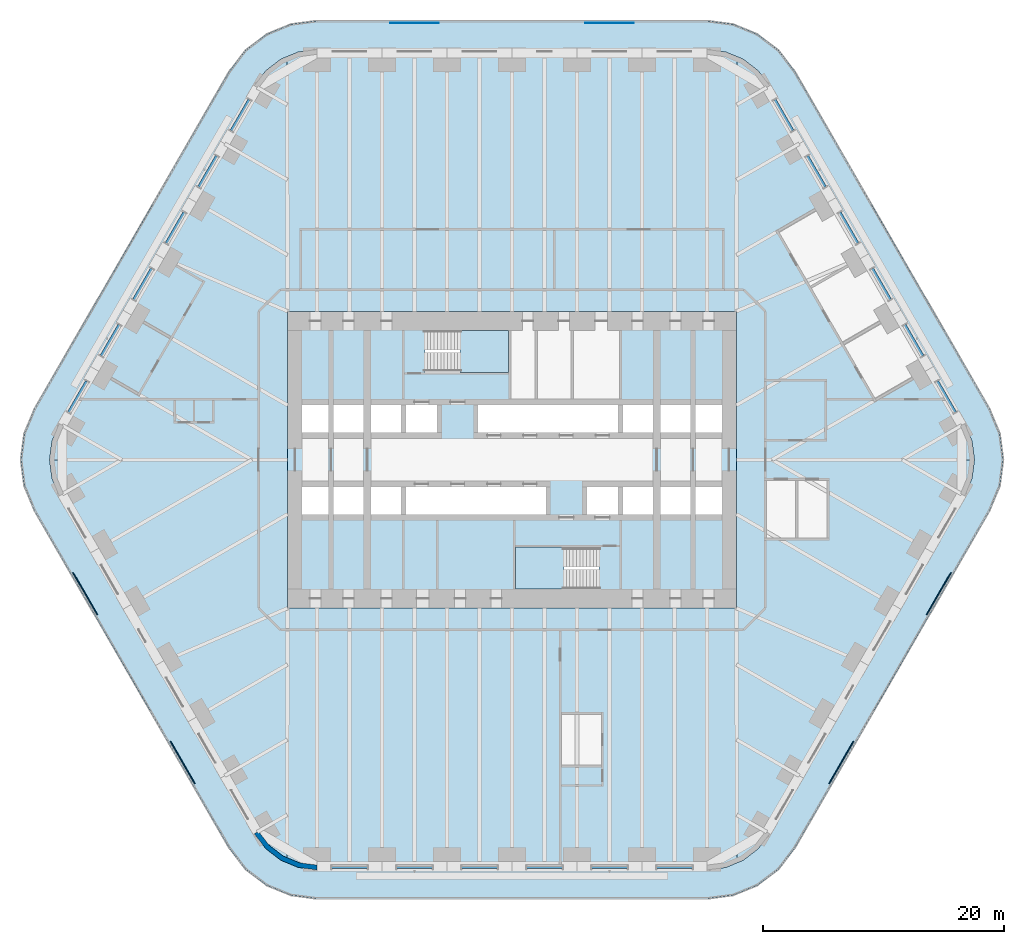
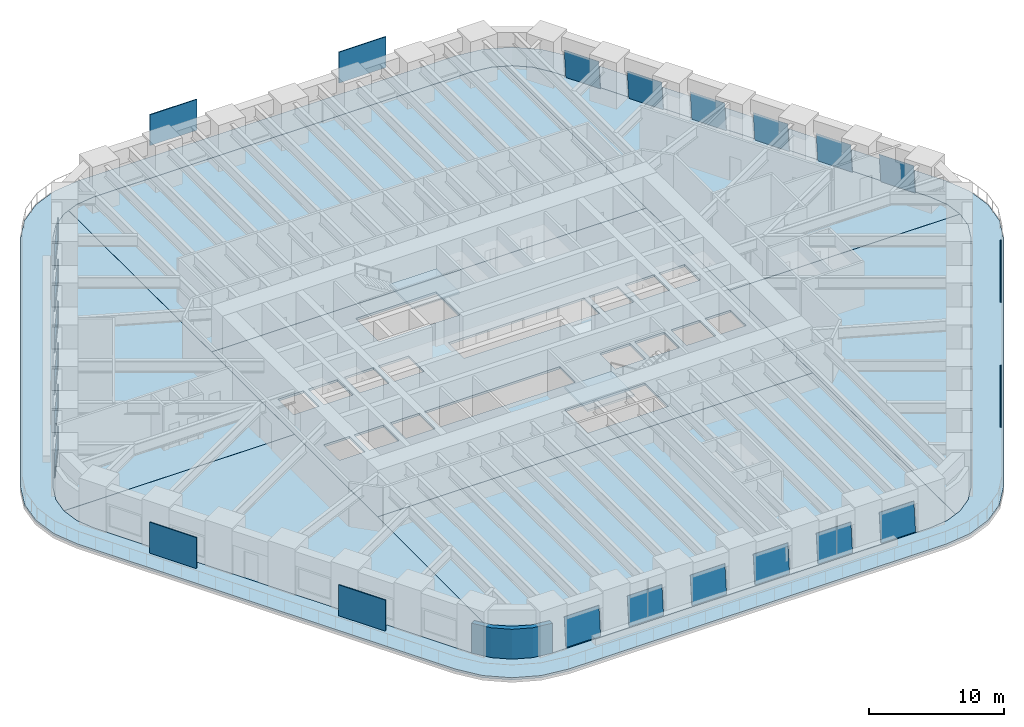
# One storey, part 15 of 23: 24 plates, 10 slabs, 1 wall, 20 elements without a shape of their own.
"""IFC4 building model written with IfcOpenShell, lengths in metres."""

from ifc_helpers import new_model, si_unit, direction, frame, origin, origin_2d, place, context, subcontext, project, spatial, polyline, rectangle, outline, extrude, material, layer, layer_set, type_object, element, aggregate, save


model = new_model("IFC4")

# Units and contexts
model_context = context("Model", 3, precision=1e-05, world=origin(), true_north=direction((0.0, 1.0)))
body_context = subcontext(model_context, "Body", "Model", "MODEL_VIEW")
ifc_project = project(units=[si_unit("LENGTHUNIT", "METRE"), si_unit("AREAUNIT", "SQUARE_METRE"), si_unit("VOLUMEUNIT", "CUBIC_METRE"), si_unit("PLANEANGLEUNIT", "RADIAN"), si_unit("MASSUNIT", "GRAM", prefix="KILO")], contexts=[model_context])

# Site, building, storey
site_placement = place(None, origin())
site = spatial("IfcSite", under=ifc_project, at=site_placement, CompositionType="ELEMENT")
building_placement = place(site_placement, origin())
building = spatial("IfcBuilding", under=site, at=building_placement, Name="Tarfa Lantern Tower", CompositionType="ELEMENT")
storey_placement = place(building_placement, frame((0.0, 0.0, 40.300048828125)))
storey = spatial("IfcBuildingStorey", under=building, at=storey_placement, Name="L08", CompositionType="ELEMENT", Elevation=40.300048828125)

# Slab
ifc_material_1 = material(Name="Concrete C40/50", Category="concrete")
ifc_layer_1 = layer(ifc_material_1, 0.199951171875)
ifc_layer_set_1 = layer_set([ifc_layer_1], Name="BS2 BALCONY SLAB 200")
slab_type_1 = type_object("IfcSlabType", Name="BS2 BALCONY SLAB 200", PredefinedType="FLOOR", material=ifc_layer_set_1)
slab_1_placement = place(storey_placement, frame((0.0, 0.0, -0.199951171875)))
element("IfcSlab", 1, at=slab_1_placement, inside=storey, type_object=slab_type_1, Name="Balcony L08", PredefinedType="FLOOR", context=body_context, shape_type="SweptSolid", body=[
    extrude(outline(polyline([(39.606201171875, 4.199951171875), (23.4404296875, 32.199951171875), (22.10546875, 33.939697265625), (20.36572265625, 35.274658203125), (18.33984375, 36.11376953125), (16.165771484375, 36.39990234375), (-16.165771484375, 36.39990234375), (-18.33984375, 36.11376953125), (-20.36572265625, 35.274658203125), (-22.10546875, 33.939697265625), (-23.4404296875, 32.199951171875), (-39.606201171875, 4.199951171875), (-40.4453125, 2.174072265625), (-40.731689453125, 0.0), (-40.4453125, -2.174072265625), (-39.606201171875, -4.199951171875), (-23.4404296875, -32.199951171875), (-22.10546875, -33.939697265625), (-20.36572265625, -35.274658203125), (-18.33984375, -36.11376953125), (-16.165771484375, -36.39990234375), (16.165771484375, -36.39990234375), (18.33984375, -36.11376953125), (20.36572265625, -35.274658203125), (22.10546875, -33.939697265625), (23.4404296875, -32.199951171875), (39.606201171875, -4.199951171875), (40.4453125, -2.174072265625), (40.731689453125, 0.0), (40.4453125, 2.174072265625), (39.606201171875, 4.199951171875)]), holes=[polyline([(37.52783203125, 3.0), (21.362060546875, 31.0), (20.408447265625, 32.24267578125), (19.165771484375, 33.196044921875), (17.71875, 33.795654296875), (16.165771484375, 34.0), (-16.165771484375, 34.0), (-17.71875, 33.795654296875), (-19.165771484375, 33.196044921875), (-20.408447265625, 32.24267578125), (-21.362060546875, 31.0), (-37.52783203125, 3.0), (-38.127197265625, 1.552978515625), (-38.33154296875, 0.0), (-38.127197265625, -1.552978515625), (-37.52783203125, -3.0), (-21.362060546875, -31.0), (-20.408447265625, -32.24267578125), (-19.165771484375, -33.196044921875), (-17.71875, -33.795654296875), (-16.165771484375, -34.0), (16.165771484375, -34.0), (17.71875, -33.795654296875), (19.165771484375, -33.196044921875), (20.408447265625, -32.24267578125), (21.362060546875, -31.0), (37.52783203125, -3.0), (38.127197265625, -1.552978515625), (38.33154296875, 0.0), (38.127197265625, 1.552978515625), (37.52783203125, 3.0)])]), origin(), (0.0, 0.0, 1.0), 0.199951171875),
])

# Curtain wall, plate
ifc_material_2 = material(Name="Aluminium framed curtain wall", Category="aluminium")
curtain_wall_type = type_object("IfcCurtainWallType", Name="CW1 CANTED GLAZING LOW ZONE 2700", PredefinedType="USERDEFINED", material=ifc_material_2)
curtain_wall_1_placement = place(storey_placement, origin())
curtain_wall_1 = element("IfcCurtainWall", 2, at=curtain_wall_1_placement, inside=storey, type_object=curtain_wall_type, Name="CW1 NE L08", ObjectType="CURTAIN WALL", PredefinedType="USERDEFINED")
ifc_material_3 = material(Name="Laminated double glazing", Category="glass")
ifc_layer_2 = layer(ifc_material_3, 0.028076171875)
ifc_layer_set_2 = layer_set([ifc_layer_2], Name="CWP1 DOUBLE GLAZED PANEL")
plate_type_1 = type_object("IfcPlateType", Name="CWP1 DOUBLE GLAZED PANEL", PredefinedType="CURTAIN_PANEL", material=ifc_layer_set_2)
plate_1_placement = place(storey_placement, frame((36.833740234375, 4.002197265625, 0.0), z_axis=(0.862327869115, 0.497882393798, 0.092215877663), x_axis=(-0.500013192991, 0.866017786667, 3.280829e-06)))
plate_1 = element("IfcPlate", 3, at=plate_1_placement, type_object=plate_type_1, Name="CW1 panel 1.1", PredefinedType="CURTAIN_PANEL", context=body_context, shape_type="SweptSolid", body=[
    extrude(outline(polyline([(0.0, 0.0), (2.9587247608884493, 1.3877787807814457e-17), (2.9586119504863087, 2.6462757391593192), (9.26313130443569e-06, 2.6462952359749448), (0.0, 0.0)])), origin(), (0.0, 0.0, -1.0), 0.028076171875),
])
aggregate(curtain_wall_1, [plate_1])

curtain_wall_2_placement = place(storey_placement, origin())
curtain_wall_2 = element("IfcCurtainWall", 4, at=curtain_wall_2_placement, inside=storey, type_object=curtain_wall_type, Name="CW1 NE L08", ObjectType="CURTAIN WALL", PredefinedType="USERDEFINED")
plate_2_placement = place(storey_placement, frame((34.139404296875, 8.6689453125, 0.0), z_axis=(0.862342481163, 0.497849746867, 0.09225548616), x_axis=(-0.499981985492, 0.866035804215, 0.0)))
plate_2 = element("IfcPlate", 5, at=plate_2_placement, type_object=plate_type_1, Name="CW1 panel 1.1", PredefinedType="CURTAIN_PANEL", context=body_context, shape_type="SweptSolid", body=[
    extrude(outline(polyline([(0.0, 0.0), (2.9586026892918595, 0.0), (2.958594509928721, 2.6462952380721316), (-8.179363138682455e-06, 2.6462952380721316), (0.0, 0.0)])), origin(), (0.0, 0.0, -1.0), 0.028076171875),
])
aggregate(curtain_wall_2, [plate_2])

curtain_wall_3_placement = place(storey_placement, origin())
curtain_wall_3 = element("IfcCurtainWall", 6, at=curtain_wall_3_placement, inside=storey, type_object=curtain_wall_type, Name="CW1 NE L08", ObjectType="CURTAIN WALL", PredefinedType="USERDEFINED")
plate_3_placement = place(storey_placement, frame((31.445068359375, 13.33544921875, 0.0), z_axis=(0.862331536503, 0.497884511238, 0.09217013953), x_axis=(-0.500012666981, 0.86601809037, -3.279351e-06)))
plate_3 = element("IfcPlate", 7, at=plate_3_placement, type_object=plate_type_1, Name="CW1 panel 1.1", PredefinedType="CURTAIN_PANEL", context=body_context, shape_type="SweptSolid", body=[
    extrude(outline(polyline([(0.0, 0.0), (2.958602687419229, -2.7755575615628914e-17), (2.9588059463239933, 2.6462839775192477), (8.118549973916932e-05, 2.6462644895697935), (0.0, 0.0)])), origin(), (0.0, 0.0, -1.0), 0.028076171875),
])
aggregate(curtain_wall_3, [plate_3])

curtain_wall_4_placement = place(storey_placement, origin())
curtain_wall_4 = element("IfcCurtainWall", 8, at=curtain_wall_4_placement, inside=storey, type_object=curtain_wall_type, Name="CW1 NE L08", ObjectType="CURTAIN WALL", PredefinedType="USERDEFINED")
plate_4_placement = place(storey_placement, frame((28.750732421875, 18.002197265625, 0.0), z_axis=(0.862327869115, 0.497882393798, 0.092215877663), x_axis=(-0.50001266672, 0.866018090521, -3.280965e-06)))
plate_4 = element("IfcPlate", 9, at=plate_4_placement, type_object=plate_type_1, Name="CW1 panel 1.1", PredefinedType="CURTAIN_PANEL", context=body_context, shape_type="SweptSolid", body=[
    extrude(outline(polyline([(0.0, 0.0), (2.958602687419245, 1.3877787807814457e-17), (2.9585945118013295, 2.646295235978528), (-0.00013024902287634953, 2.646275738358454), (0.0, 0.0)])), origin(), (0.0, 0.0, -1.0), 0.028076171875),
])
aggregate(curtain_wall_4, [plate_4])

curtain_wall_5_placement = place(storey_placement, origin())
curtain_wall_5 = element("IfcCurtainWall", 10, at=curtain_wall_5_placement, inside=storey, type_object=curtain_wall_type, Name="CW1 NE L08", ObjectType="CURTAIN WALL", PredefinedType="USERDEFINED")
plate_5_placement = place(storey_placement, frame((26.056396484375, 22.6689453125, 0.0), z_axis=(0.862348834857, 0.497853414997, 0.092176266992), x_axis=(-0.499981985492, 0.866035804215, 0.0)))
plate_5 = element("IfcPlate", 11, at=plate_5_placement, type_object=plate_type_1, Name="CW1 panel 1.1", PredefinedType="CURTAIN_PANEL", context=body_context, shape_type="SweptSolid", body=[
    extrude(outline(polyline([(0.0, 0.0), (2.9586026892918595, 0.0), (2.958472444014294, 2.6462757404522685), (-0.0001302452775655129, 2.6462757404522685), (0.0, 0.0)])), origin(), (0.0, 0.0, -1.0), 0.028076171875),
])
aggregate(curtain_wall_5, [plate_5])

curtain_wall_6_placement = place(storey_placement, origin())
curtain_wall_6 = element("IfcCurtainWall", 12, at=curtain_wall_6_placement, inside=storey, type_object=curtain_wall_type, Name="CW1 NE L08", ObjectType="CURTAIN WALL", PredefinedType="USERDEFINED")
plate_6_placement = place(storey_placement, frame((23.362060546875, 27.33544921875, 0.0), z_axis=(0.862352500545, 0.497855531282, 0.092130531185), x_axis=(-0.499981985492, 0.866035804215, 0.0)))
plate_6 = element("IfcPlate", 13, at=plate_6_placement, type_object=plate_type_1, Name="CW1 panel 1.1", PredefinedType="CURTAIN_PANEL", context=body_context, shape_type="SweptSolid", body=[
    extrude(outline(polyline([(0.0, 0.0), (2.9586026892918595, -1.3877787807814457e-17), (2.958683878536808, 2.646264491663335), (8.118924494802948e-05, 2.646264491663335), (0.0, 0.0)])), origin(), (0.0, 0.0, -1.0), 0.028076171875),
])
aggregate(curtain_wall_6, [plate_6])

curtain_wall_7_placement = place(storey_placement, origin())
curtain_wall_7 = element("IfcCurtainWall", 14, at=curtain_wall_7_placement, inside=storey, type_object=curtain_wall_type, Name="CW1 NW L08", ObjectType="CURTAIN WALL", PredefinedType="USERDEFINED")
plate_7_placement = place(storey_placement, frame((-21.8828125, 29.897705078125, 0.0), z_axis=(-0.862352500545, 0.497855531282, 0.092130531185), x_axis=(-0.499981985492, -0.866035804215, 0.0)))
plate_7 = element("IfcPlate", 15, at=plate_7_placement, type_object=plate_type_1, Name="CW1 panel 1.1", PredefinedType="CURTAIN_PANEL", context=body_context, shape_type="SweptSolid", body=[
    extrude(outline(polyline([(0.0, 0.0), (2.9586026892918595, 1.3877787807814457e-17), (2.9585215000469116, 2.646264491663335), (-8.118924494802948e-05, 2.646264491663335), (0.0, 0.0)])), origin(), (0.0, 0.0, -1.0), 0.028076171875),
])
aggregate(curtain_wall_7, [plate_7])

curtain_wall_8_placement = place(storey_placement, origin())
curtain_wall_8 = element("IfcCurtainWall", 16, at=curtain_wall_8_placement, inside=storey, type_object=curtain_wall_type, Name="CW1 NW L08", ObjectType="CURTAIN WALL", PredefinedType="USERDEFINED")
plate_8_placement = place(storey_placement, frame((-24.5771484375, 25.231201171875, 0.0), z_axis=(-0.862348834857, 0.497853414997, 0.092176266992), x_axis=(-0.499981985492, -0.866035804215, 0.0)))
plate_8 = element("IfcPlate", 17, at=plate_8_placement, type_object=plate_type_1, Name="CW1 panel 1.1", PredefinedType="CURTAIN_PANEL", context=body_context, shape_type="SweptSolid", body=[
    extrude(outline(polyline([(0.0, 0.0), (2.9586026892918595, 0.0), (2.9587329345694253, 2.6462757404522685), (0.0001302452775655129, 2.6462757404522685), (0.0, 0.0)])), origin(), (0.0, 0.0, -1.0), 0.028076171875),
])
aggregate(curtain_wall_8, [plate_8])

curtain_wall_9_placement = place(storey_placement, origin())
curtain_wall_9 = element("IfcCurtainWall", 18, at=curtain_wall_9_placement, inside=storey, type_object=curtain_wall_type, Name="CW1 NW L08", ObjectType="CURTAIN WALL", PredefinedType="USERDEFINED")
plate_9_placement = place(storey_placement, frame((-27.271484375, 20.564453125, 0.0), z_axis=(-0.862327869115, 0.497882393798, 0.092215877663), x_axis=(-0.50001266672, -0.866018090521, 3.280965e-06)))
plate_9 = element("IfcPlate", 19, at=plate_9_placement, type_object=plate_type_1, Name="CW1 panel 1.1", PredefinedType="CURTAIN_PANEL", context=body_context, shape_type="SweptSolid", body=[
    extrude(outline(polyline([(0.0, 0.0), (2.958602687419245, -1.3877787807814457e-17), (2.9587329364421215, 2.646275738358454), (8.175617915423306e-06, 2.646295235978528), (0.0, 0.0)])), origin(), (0.0, 0.0, -1.0), 0.028076171875),
])
aggregate(curtain_wall_9, [plate_9])

curtain_wall_10_placement = place(storey_placement, origin())
curtain_wall_10 = element("IfcCurtainWall", 20, at=curtain_wall_10_placement, inside=storey, type_object=curtain_wall_type, Name="CW1 NW L08", ObjectType="CURTAIN WALL", PredefinedType="USERDEFINED")
plate_10_placement = place(storey_placement, frame((-29.9658203125, 15.897705078125, 0.0), z_axis=(-0.862331536503, 0.497884511238, 0.09217013953), x_axis=(-0.500012666981, -0.86601809037, 3.279351e-06)))
plate_10 = element("IfcPlate", 21, at=plate_10_placement, type_object=plate_type_1, Name="CW1 panel 1.1", PredefinedType="CURTAIN_PANEL", context=body_context, shape_type="SweptSolid", body=[
    extrude(outline(polyline([(0.0, 0.0), (2.958602687419229, 2.7755575615628914e-17), (2.95852150191949, 2.6462644895697935), (-0.00020325890476380847, 2.6462839775192477), (0.0, 0.0)])), origin(), (0.0, 0.0, -1.0), 0.028076171875),
])
aggregate(curtain_wall_10, [plate_10])

curtain_wall_11_placement = place(storey_placement, origin())
curtain_wall_11 = element("IfcCurtainWall", 22, at=curtain_wall_11_placement, inside=storey, type_object=curtain_wall_type, Name="CW1 NW L08", ObjectType="CURTAIN WALL", PredefinedType="USERDEFINED")
plate_11_placement = place(storey_placement, frame((-32.66015625, 11.231201171875, 0.0), z_axis=(-0.862342481163, 0.497849746867, 0.09225548616), x_axis=(-0.499981985492, -0.866035804215, 0.0)))
plate_11 = element("IfcPlate", 23, at=plate_11_placement, type_object=plate_type_1, Name="CW1 panel 1.1", PredefinedType="CURTAIN_PANEL", context=body_context, shape_type="SweptSolid", body=[
    extrude(outline(polyline([(0.0, 0.0), (2.9586026892918595, 0.0), (2.9586108686549983, 2.6462952380721316), (8.179363138682455e-06, 2.6462952380721316), (0.0, 0.0)])), origin(), (0.0, 0.0, -1.0), 0.028076171875),
])
aggregate(curtain_wall_11, [plate_11])

curtain_wall_12_placement = place(storey_placement, origin())
curtain_wall_12 = element("IfcCurtainWall", 24, at=curtain_wall_12_placement, inside=storey, type_object=curtain_wall_type, Name="CW1 NW L08", ObjectType="CURTAIN WALL", PredefinedType="USERDEFINED")
plate_12_placement = place(storey_placement, frame((-35.354248046875, 6.564453125, 0.0), z_axis=(-0.862327869115, 0.497882393798, 0.092215877663), x_axis=(-0.500013192991, -0.866017786667, -3.280829e-06)))
plate_12 = element("IfcPlate", 25, at=plate_12_placement, type_object=plate_type_1, Name="CW1 panel 1.1", PredefinedType="CURTAIN_PANEL", context=body_context, shape_type="SweptSolid", body=[
    extrude(outline(polyline([(0.0, 0.0), (2.9587247608884493, -1.3877787807814457e-17), (2.9587154977571455, 2.6462952359749448), (0.00011281040214067216, 2.6462757391593192), (0.0, 0.0)])), origin(), (0.0, 0.0, -1.0), 0.028076171875),
])
aggregate(curtain_wall_12, [plate_12])

curtain_wall_13_placement = place(storey_placement, origin())
curtain_wall_13 = element("IfcCurtainWall", 26, at=curtain_wall_13_placement, inside=storey, type_object=curtain_wall_type, Name="CW1 S L08", ObjectType="CURTAIN WALL", PredefinedType="USERDEFINED")
plate_13_placement = place(storey_placement, frame((-14.950927734375, -33.89990234375, 0.0), z_axis=(0.0, -0.995743653657, 0.092166025202), x_axis=(1.0, 0.0, 0.0)))
plate_13 = element("IfcPlate", 27, at=plate_13_placement, type_object=plate_type_1, Name="CW1 panel 1.1", PredefinedType="CURTAIN_PANEL", context=body_context, shape_type="SweptSolid", body=[
    extrude(outline(polyline([(0.0, 0.0), (2.958740234375, 0.0), (2.958740234375, 2.6462732209712594), (0.0, 2.6462732209712594), (0.0, 0.0)])), origin(), (0.0, 0.0, -1.0), 0.028076171875),
])
aggregate(curtain_wall_13, [plate_13])

curtain_wall_14_placement = place(storey_placement, origin())
curtain_wall_14 = element("IfcCurtainWall", 28, at=curtain_wall_14_placement, inside=storey, type_object=curtain_wall_type, Name="CW1 S L08", ObjectType="CURTAIN WALL", PredefinedType="USERDEFINED")
plate_14_placement = place(storey_placement, frame((-9.562255859375, -33.89990234375, 0.0), z_axis=(0.0, -0.995743653657, 0.092166025202), x_axis=(1.0, 0.0, 0.0)))
plate_14 = element("IfcPlate", 29, at=plate_14_placement, type_object=plate_type_1, Name="CW1 panel 1.1", PredefinedType="CURTAIN_PANEL", context=body_context, shape_type="SweptSolid", body=[
    extrude(outline(polyline([(0.0, 0.0), (2.958740234375, 0.0), (2.958740234375, 2.6462732209712594), (0.0, 2.6462732209712594), (0.0, 0.0)])), origin(), (0.0, 0.0, -1.0), 0.028076171875),
])
aggregate(curtain_wall_14, [plate_14])

curtain_wall_15_placement = place(storey_placement, origin())
curtain_wall_15 = element("IfcCurtainWall", 30, at=curtain_wall_15_placement, inside=storey, type_object=curtain_wall_type, Name="CW1 S L08", ObjectType="CURTAIN WALL", PredefinedType="USERDEFINED")
plate_15_placement = place(storey_placement, frame((-4.173583984375, -33.89990234375, 0.0), z_axis=(0.0, -0.995743653657, 0.092166025202), x_axis=(1.0, 0.0, 0.0)))
plate_15 = element("IfcPlate", 31, at=plate_15_placement, type_object=plate_type_1, Name="CW1 panel 1.1", PredefinedType="CURTAIN_PANEL", context=body_context, shape_type="SweptSolid", body=[
    extrude(outline(polyline([(0.0, 0.0), (2.95849609375, 0.0), (2.95849609375, 2.6462732209712594), (0.0, 2.6462732209712594), (0.0, 0.0)])), origin(), (0.0, 0.0, -1.0), 0.028076171875),
])
aggregate(curtain_wall_15, [plate_15])

curtain_wall_16_placement = place(storey_placement, origin())
curtain_wall_16 = element("IfcCurtainWall", 32, at=curtain_wall_16_placement, inside=storey, type_object=curtain_wall_type, Name="CW1 S L08", ObjectType="CURTAIN WALL", PredefinedType="USERDEFINED")
plate_16_placement = place(storey_placement, frame((1.215087890625, -33.89990234375, 0.0), z_axis=(0.0, -0.995743653657, 0.092166025202), x_axis=(1.0, 0.0, 0.0)))
plate_16 = element("IfcPlate", 33, at=plate_16_placement, type_object=plate_type_1, Name="CW1 panel 1.1", PredefinedType="CURTAIN_PANEL", context=body_context, shape_type="SweptSolid", body=[
    extrude(outline(polyline([(0.0, 0.0), (2.95849609375, 0.0), (2.95849609375, 2.6462732209712594), (0.0, 2.6462732209712594), (0.0, 0.0)])), origin(), (0.0, 0.0, -1.0), 0.028076171875),
])
aggregate(curtain_wall_16, [plate_16])

curtain_wall_17_placement = place(storey_placement, origin())
curtain_wall_17 = element("IfcCurtainWall", 34, at=curtain_wall_17_placement, inside=storey, type_object=curtain_wall_type, Name="CW1 S L08", ObjectType="CURTAIN WALL", PredefinedType="USERDEFINED")
plate_17_placement = place(storey_placement, frame((6.603515625, -33.89990234375, 0.0), z_axis=(0.0, -0.995743653657, 0.092166025202), x_axis=(1.0, 0.0, 0.0)))
plate_17 = element("IfcPlate", 35, at=plate_17_placement, type_object=plate_type_1, Name="CW1 panel 1.1", PredefinedType="CURTAIN_PANEL", context=body_context, shape_type="SweptSolid", body=[
    extrude(outline(polyline([(0.0, 0.0), (2.958740234375, 0.0), (2.958740234375, 2.6462732209712594), (0.0, 2.6462732209712594), (0.0, 0.0)])), origin(), (0.0, 0.0, -1.0), 0.028076171875),
])
aggregate(curtain_wall_17, [plate_17])

curtain_wall_18_placement = place(storey_placement, origin())
curtain_wall_18 = element("IfcCurtainWall", 36, at=curtain_wall_18_placement, inside=storey, type_object=curtain_wall_type, Name="CW1 S L08", ObjectType="CURTAIN WALL", PredefinedType="USERDEFINED")
plate_18_placement = place(storey_placement, frame((11.9921875, -33.89990234375, 0.0), z_axis=(0.0, -0.995743653657, 0.092166025202), x_axis=(1.0, 0.0, 0.0)))
plate_18 = element("IfcPlate", 37, at=plate_18_placement, type_object=plate_type_1, Name="CW1 panel 1.1", PredefinedType="CURTAIN_PANEL", context=body_context, shape_type="SweptSolid", body=[
    extrude(outline(polyline([(0.0, 0.0), (2.958740234375, 0.0), (2.958740234375, 2.6462732209712594), (0.0, 2.6462732209712594), (0.0, 0.0)])), origin(), (0.0, 0.0, -1.0), 0.028076171875),
])
aggregate(curtain_wall_18, [plate_18])

# Slabs
ifc_layer_3 = layer(ifc_material_1, 0.199951171875)
ifc_layer_set_3 = layer_set([ifc_layer_3], Name="FS1 FLOOR SLAB 200")
slab_type_2 = type_object("IfcSlabType", Name="FS1 FLOOR SLAB 200", PredefinedType="FLOOR", material=ifc_layer_set_3)
slab_2_placement = place(storey_placement, frame((0.0, 0.0, -0.199951171875)))
element("IfcSlab", 38, at=slab_2_placement, inside=storey, type_object=slab_type_2, Name="Floor slab L08", PredefinedType="FLOOR", context=body_context, shape_type="SweptSolid", body=[
    extrude(outline(polyline([(-18.60009765625, -12.300048828125), (18.60009765625, -12.300048828125), (18.60009765625, 12.300048828125), (-18.60009765625, 12.300048828125), (-18.60009765625, -12.300048828125)]), holes=[polyline([(-17.39990234375, 2.25), (-15.199951171875, 2.25), (-15.199951171875, 4.550048828125), (-17.39990234375, 4.550048828125), (-17.39990234375, 2.25)]), polyline([(-14.800048828125, 2.25), (-12.300048828125, 2.25), (-12.300048828125, 4.550048828125), (-14.800048828125, 4.550048828125), (-14.800048828125, 2.25)]), polyline([(-11.699951171875, 2.25), (-9.199951171875, 2.25), (-9.199951171875, 4.550048828125), (-11.699951171875, 4.550048828125), (-11.699951171875, 2.25)]), polyline([(-8.800048828125, 2.25), (-6.199951171875, 2.25), (-6.199951171875, 4.550048828125), (-8.800048828125, 4.550048828125), (-8.800048828125, 2.25)]), polyline([(-2.800048828125, 2.25), (8.800048828125, 2.25), (8.800048828125, 4.550048828125), (-2.800048828125, 4.550048828125), (-2.800048828125, 2.25)]), polyline([(9.199951171875, 2.25), (11.699951171875, 2.25), (11.699951171875, 4.550048828125), (9.199951171875, 4.550048828125), (9.199951171875, 2.25)]), polyline([(12.300048828125, 2.25), (14.800048828125, 2.25), (14.800048828125, 4.550048828125), (12.300048828125, 4.550048828125), (12.300048828125, 2.25)]), polyline([(15.199951171875, 2.25), (17.39990234375, 2.25), (17.39990234375, 4.550048828125), (15.199951171875, 4.550048828125), (15.199951171875, 2.25)]), polyline([(17.39990234375, -2.25), (15.199951171875, -2.25), (15.199951171875, -4.550048828125), (17.39990234375, -4.550048828125), (17.39990234375, -2.25)]), polyline([(14.800048828125, -2.25), (12.300048828125, -2.25), (12.300048828125, -4.550048828125), (14.800048828125, -4.550048828125), (14.800048828125, -2.25)]), polyline([(11.699951171875, -2.25), (9.199951171875, -2.25), (9.199951171875, -4.550048828125), (11.699951171875, -4.550048828125), (11.699951171875, -2.25)]), polyline([(8.800048828125, -2.25), (6.199951171875, -2.25), (6.199951171875, -4.550048828125), (8.800048828125, -4.550048828125), (8.800048828125, -2.25)]), polyline([(2.800048828125, -2.25), (-8.800048828125, -2.25), (-8.800048828125, -4.550048828125), (2.800048828125, -4.550048828125), (2.800048828125, -2.25)]), polyline([(-9.199951171875, -2.25), (-11.699951171875, -2.25), (-11.699951171875, -4.550048828125), (-9.199951171875, -4.550048828125), (-9.199951171875, -2.25)]), polyline([(-12.300048828125, -2.25), (-14.800048828125, -2.25), (-14.800048828125, -4.550048828125), (-12.300048828125, -4.550048828125), (-12.300048828125, -2.25)]), polyline([(-15.199951171875, -2.25), (-17.39990234375, -2.25), (-17.39990234375, -4.550048828125), (-15.199951171875, -4.550048828125), (-15.199951171875, -2.25)]), polyline([(-7.199951171875, 7.25), (-0.300048828125, 7.25), (-0.300048828125, 10.699951171875), (-7.199951171875, 10.699951171875), (-7.199951171875, 7.25)]), polyline([(7.199951171875, -7.25), (0.300048828125, -7.25), (0.300048828125, -10.699951171875), (7.199951171875, -10.699951171875), (7.199951171875, -7.25)])]), origin(), (0.0, 0.0, 1.0), 0.199951171875),
])
slab_3_placement = place(storey_placement, frame((0.0, 0.0, -0.199951171875)))
element("IfcSlab", 39, at=slab_3_placement, inside=storey, type_object=slab_type_2, Name="Floor slab L08 NE bay", PredefinedType="FLOOR", context=body_context, shape_type="SweptSolid", body=[
    extrude(outline(polyline([(37.52587890625, 2.9990234375), (21.3603515625, 30.998779296875), (20.406982421875, 32.2412109375), (19.164794921875, 33.1943359375), (18.64697265625, 33.408935546875), (18.60205078125, 12.300048828125), (18.60205078125, 0.001953125), (38.329345703125, 0.001953125), (38.125244140625, 1.552490234375), (37.52587890625, 2.9990234375)])), origin(), (0.0, 0.0, 1.0), 0.199951171875),
])
slab_4_placement = place(storey_placement, frame((0.0, 0.0, -0.199951171875)))
element("IfcSlab", 40, at=slab_4_placement, inside=storey, type_object=slab_type_2, Name="Floor slab L08 N bay", PredefinedType="FLOOR", context=body_context, shape_type="SweptSolid", body=[
    extrude(outline(polyline([(-18.597900390625, 12.302001953125), (18.597900390625, 12.302001953125), (18.64306640625, 33.41064453125), (17.71826171875, 33.793701171875), (16.165771484375, 33.998046875), (-16.165771484375, 33.998046875), (-17.71826171875, 33.793701171875), (-18.64306640625, 33.41064453125), (-18.597900390625, 12.302001953125)])), origin(), (0.0, 0.0, 1.0), 0.199951171875),
])
slab_5_placement = place(storey_placement, frame((0.0, 0.0, -0.199951171875)))
element("IfcSlab", 41, at=slab_5_placement, inside=storey, type_object=slab_type_2, Name="Floor slab L08 NW bay", PredefinedType="FLOOR", context=body_context, shape_type="SweptSolid", body=[
    extrude(outline(polyline([(-18.60205078125, 0.001953125), (-18.60205078125, 12.300048828125), (-18.64697265625, 33.408935546875), (-19.164794921875, 33.1943359375), (-20.406982421875, 32.2412109375), (-21.3603515625, 30.998779296875), (-37.52587890625, 2.9990234375), (-38.125244140625, 1.552490234375), (-38.329345703125, 0.001953125), (-18.60205078125, 0.001953125)])), origin(), (0.0, 0.0, 1.0), 0.199951171875),
])
slab_6_placement = place(storey_placement, frame((0.0, 0.0, -0.199951171875)))
element("IfcSlab", 42, at=slab_6_placement, inside=storey, type_object=slab_type_2, Name="Floor slab L08 SW bay", PredefinedType="FLOOR", context=body_context, shape_type="SweptSolid", body=[
    extrude(outline(polyline([(-18.60205078125, -12.300048828125), (-18.60205078125, -0.001953125), (-38.329345703125, -0.001953125), (-38.125244140625, -1.552490234375), (-37.52587890625, -2.9990234375), (-21.3603515625, -30.998779296875), (-20.406982421875, -32.2412109375), (-19.164794921875, -33.1943359375), (-18.64697265625, -33.408935546875), (-18.60205078125, -12.300048828125)])), origin(), (0.0, 0.0, 1.0), 0.199951171875),
])
slab_7_placement = place(storey_placement, frame((0.0, 0.0, -0.199951171875)))
element("IfcSlab", 43, at=slab_7_placement, inside=storey, type_object=slab_type_2, Name="Floor slab L08 S bay", PredefinedType="FLOOR", context=body_context, shape_type="SweptSolid", body=[
    extrude(outline(polyline([(18.597900390625, -12.302001953125), (-18.597900390625, -12.302001953125), (-18.64306640625, -33.41064453125), (-17.71826171875, -33.793701171875), (-16.165771484375, -33.998046875), (16.165771484375, -33.998046875), (17.71826171875, -33.793701171875), (18.64306640625, -33.41064453125), (18.597900390625, -12.302001953125)])), origin(), (0.0, 0.0, 1.0), 0.199951171875),
])
slab_8_placement = place(storey_placement, frame((0.0, 0.0, -0.199951171875)))
element("IfcSlab", 44, at=slab_8_placement, inside=storey, type_object=slab_type_2, Name="Floor slab L08 SE bay", PredefinedType="FLOOR", context=body_context, shape_type="SweptSolid", body=[
    extrude(outline(polyline([(18.60205078125, -0.001953125), (18.60205078125, -12.300048828125), (18.64697265625, -33.408935546875), (19.164794921875, -33.1943359375), (20.406982421875, -32.2412109375), (21.3603515625, -30.998779296875), (37.52587890625, -2.9990234375), (38.125244140625, -1.552490234375), (38.329345703125, -0.001953125), (18.60205078125, -0.001953125)])), origin(), (0.0, 0.0, 1.0), 0.199951171875),
])

# Plates
ifc_material_4 = material(Name="Perforated limestone screen", Category="masonry")
ifc_layer_4 = layer(ifc_material_4, 0.080078125)
ifc_layer_set_4 = layer_set([ifc_layer_4], Name="SC1 STONE SCREEN 80")
plate_type_2 = type_object("IfcPlateType", Name="SC1 STONE SCREEN 80", PredefinedType="USERDEFINED", material=ifc_layer_set_4)
for number, where, z_axis, x_axis, name in (
    (45, (8.0830078125, 36.199951171875, 1.19970703125), (0.0, 0.0, 1.0), (-1.0, 0.0, 0.0), "Stone screen N 1"),
    (46, (-8.0830078125, 36.199951171875, 1.19970703125), (0.0, 0.0, 1.0), (-1.0, 0.0, 0.0), "Stone screen N 2"),
    (47, (-35.3916015625, -11.10009765625, 1.19970703125), (0.0, 0.0, 1.0), (0.5, -0.866025403784, 0.0), "Stone screen SW 1"),
    (48, (-27.30859375, -25.10009765625, 1.19970703125), (0.0, 0.0, 1.0), (0.5, -0.866025403784, 0.0), "Stone screen SW 2"),
    (49, (27.30859375, -25.10009765625, 1.19970703125), (0.0, 0.0, 1.0), (0.5, 0.866025403784, 0.0), "Stone screen SE 1"),
    (50, (35.3916015625, -11.10009765625, 1.19970703125), (0.0, 0.0, 1.0), (0.5, 0.866025403784, 0.0), "Stone screen SE 2"),
):
    element("IfcPlate", number, at=place(storey_placement, frame(where, z_axis=z_axis, x_axis=x_axis)), inside=storey, type_object=plate_type_2, Name=name, ObjectType="SCREEN", PredefinedType="USERDEFINED", context=body_context, shape_type="SweptSolid", body=[
        extrude(rectangle(XDim=4.0, YDim=0.080078125, at=origin_2d()), origin(), (0.0, 0.0, 1.0), 2.800048828125),
    ])

# Stair, slab
stair_type = type_object("IfcStairType", Name="ST-T10 HALF-TURN STAIR 4200 RISE", PredefinedType="HALF_TURN_STAIR", material=ifc_material_1)
stair_1_placement = place(storey_placement, origin())
stair_1 = element("IfcStair", 51, at=stair_1_placement, inside=storey, type_object=stair_type, Name="Stair ST1", PredefinedType="HALF_TURN_STAIR")
ifc_layer_5 = layer(ifc_material_1, 0.199951171875)
ifc_layer_set_5 = layer_set([ifc_layer_5], Name="SL1 STAIR LANDING 200")
slab_type_3 = type_object("IfcSlabType", Name="SL1 STAIR LANDING 200", PredefinedType="LANDING", material=ifc_layer_set_5)
slab_9_placement = place(storey_placement, frame((0.0, 0.0, 1.89990234375)))
slab_9 = element("IfcSlab", 52, at=slab_9_placement, type_object=slab_type_3, Name="ST1 landing 1", PredefinedType="LANDING", context=body_context, shape_type="SweptSolid", body=[
    extrude(outline(polyline([(-4.320068359375, 7.25), (-0.300048828125, 7.25), (-0.300048828125, 10.699951171875), (-4.320068359375, 10.699951171875), (-4.320068359375, 7.25)])), origin(), (0.0, 0.0, 1.0), 0.199951171875),
])
aggregate(stair_1, [slab_9])

stair_2_placement = place(storey_placement, origin())
stair_2 = element("IfcStair", 53, at=stair_2_placement, inside=storey, type_object=stair_type, Name="Stair ST2", PredefinedType="HALF_TURN_STAIR")
slab_10_placement = place(storey_placement, frame((0.0, 0.0, 1.89990234375)))
slab_10 = element("IfcSlab", 54, at=slab_10_placement, type_object=slab_type_3, Name="ST2 landing 1", PredefinedType="LANDING", context=body_context, shape_type="SweptSolid", body=[
    extrude(outline(polyline([(4.320068359375, -7.25), (0.300048828125, -7.25), (0.300048828125, -10.699951171875), (4.320068359375, -10.699951171875), (4.320068359375, -7.25)])), origin(), (0.0, 0.0, 1.0), 0.199951171875),
])
aggregate(stair_2, [slab_10])

# Wall
ifc_material_5 = material(Name="Limestone cladding on blockwork", Category="masonry")
ifc_layer_6 = layer(ifc_material_5, 0.39990234375)
ifc_layer_set_6 = layer_set([ifc_layer_6], Name="EW2 CURVED STONE CORNER 400")
wall_type = type_object("IfcWallType", Name="EW2 CURVED STONE CORNER 400", PredefinedType="SOLIDWALL", material=ifc_layer_set_6)
wall_placement = place(storey_placement, origin())
element("IfcWall", 55, at=wall_placement, inside=storey, type_object=wall_type, Name="Stone corner SW-S", PredefinedType="SOLIDWALL", context=body_context, shape_type="SweptSolid", body=[
    extrude(outline(polyline([(-21.362060546875, -31.0), (-20.408447265625, -32.24267578125), (-19.165771484375, -33.196044921875), (-17.71875, -33.795654296875), (-16.165771484375, -34.0), (-16.165771484375, -33.60009765625), (-17.615234375, -33.4091796875), (-18.9658203125, -32.849853515625), (-20.12548828125, -31.959716796875), (-21.015625, -30.800048828125), (-21.362060546875, -31.0)])), origin(), (0.0, 0.0, 1.0), 2.699951171875),
])

save(model, "model.ifc")
